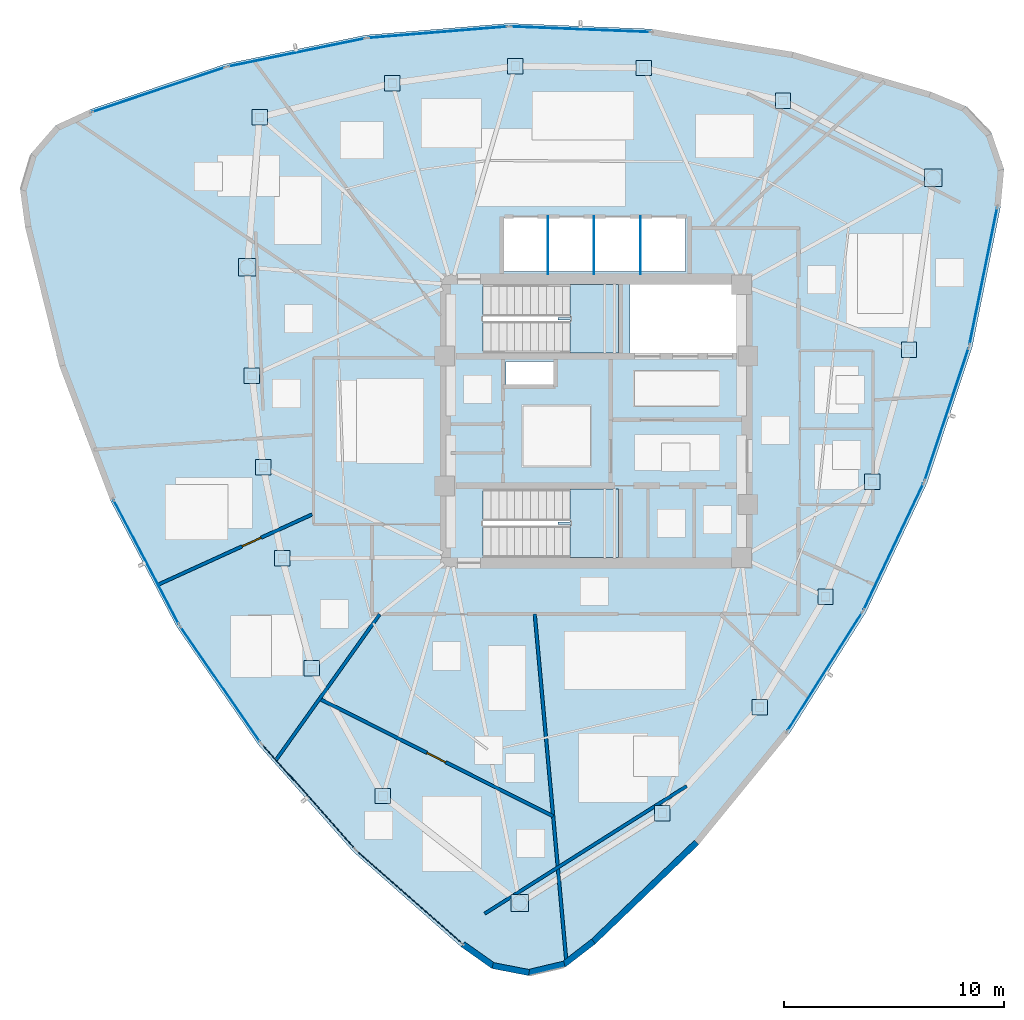
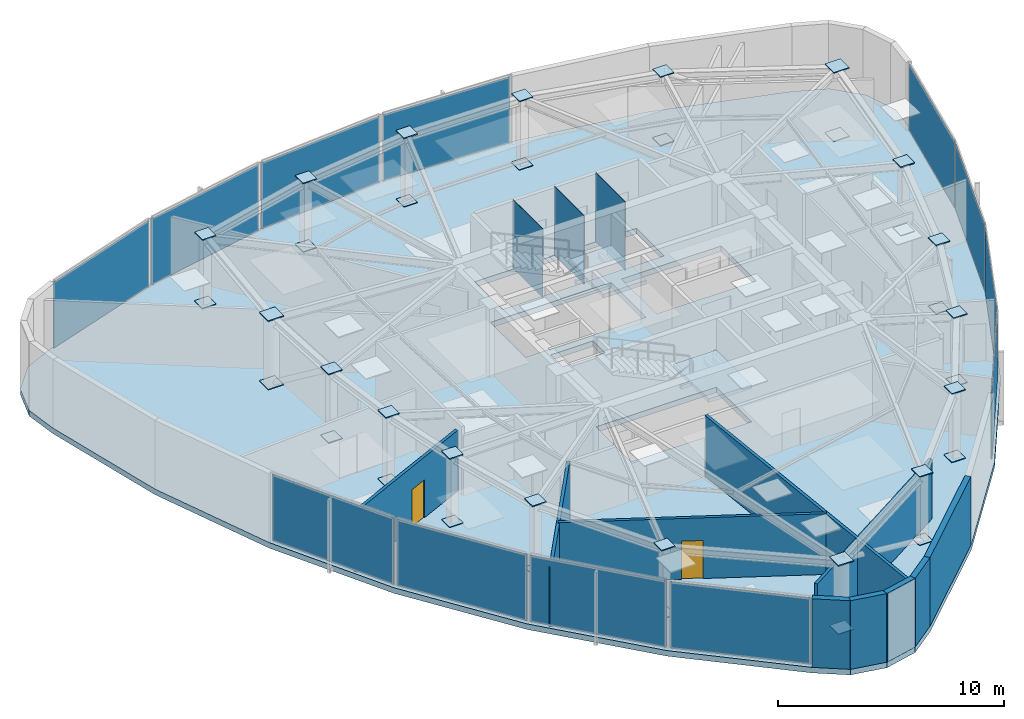
# One storey, part 7 of 13: 51 plates, 10 walls, 3 slabs, 2 doors, 2 openings, 14 elements without a shape of their own.
"""IFC4 building model written with IfcOpenShell, lengths in metres."""

from ifc_helpers import new_model, si_unit, direction, frame, frame_2d, origin, origin_2d, place, context, subcontext, project, spatial, polyline, rectangle, outline, extrude, source, transform, mapped, material, layer, layer_set, type_object, type_shapes, element, fill, aggregate, save


model = new_model("IFC4")

# Units and contexts
model_context = context("Model", 3, precision=1e-05, world=origin(), true_north=direction((0.0, 1.0)))
body_context = subcontext(model_context, "Body", "Model", "MODEL_VIEW")
ifc_project = project(units=[si_unit("LENGTHUNIT", "METRE"), si_unit("AREAUNIT", "SQUARE_METRE"), si_unit("VOLUMEUNIT", "CUBIC_METRE"), si_unit("PLANEANGLEUNIT", "RADIAN"), si_unit("MASSUNIT", "GRAM", prefix="KILO")], contexts=[model_context])

# Site, building, storey
site_placement = place(None, origin())
site = spatial("IfcSite", under=ifc_project, at=site_placement, CompositionType="ELEMENT")
building_placement = place(site_placement, origin())
building = spatial("IfcBuilding", under=site, at=building_placement, Name="Tavelor Broadcast Tower", CompositionType="ELEMENT")
storey_placement = place(building_placement, frame((0.0, 0.0, 301.5)))
storey = spatial("IfcBuildingStorey", under=building, at=storey_placement, Name="L72", CompositionType="ELEMENT", Elevation=301.5)

# Stair, slab
ifc_material_1 = material(Name="Concrete C40/50", Category="concrete")
stair_type = type_object("IfcStairType", Name="Reinforced Concrete Protected Dogleg Stair 1450 mm", PredefinedType="HALF_TURN_STAIR", material=ifc_material_1)
stair_1_placement = place(storey_placement, origin())
stair_1 = element("IfcStair", 1, at=stair_1_placement, inside=storey, type_object=stair_type, Name="L72 Protected Core Exit Stair ST1", PredefinedType="HALF_TURN_STAIR")
ifc_layer_1 = layer(ifc_material_1, 0.199951171875)
ifc_layer_set_1 = layer_set([ifc_layer_1], Name="Concrete C40/50")
slab_type_1 = type_object("IfcSlabType", Name="Reinforced Concrete Stair Half-Landing Slab 200 mm", PredefinedType="LANDING", material=ifc_layer_set_1)
slab_1_placement = place(storey_placement, frame((0.0, 0.0, 1.800048828125)))
slab_1 = element("IfcSlab", 2, at=slab_1_placement, type_object=slab_type_1, Name="ST1 landing 1", PredefinedType="LANDING", context=body_context, shape_type="SweptSolid", body=[
    extrude(outline(polyline([(48.804931640625, 49.590087890625), (48.804931640625, 48.094970703125), (51.0048828125, 48.094970703125), (51.0048828125, 51.205078125), (48.804931640625, 51.205078125), (48.804931640625, 49.7099609375), (48.264892578125, 49.7099609375), (48.264892578125, 49.590087890625), (48.804931640625, 49.590087890625)])), origin(), (0.0, 0.0, 1.0), 0.199951171875),
])
aggregate(stair_1, [slab_1])

stair_2_placement = place(storey_placement, origin())
stair_2 = element("IfcStair", 3, at=stair_2_placement, inside=storey, type_object=stair_type, Name="L72 Protected Core Exit Stair ST2", PredefinedType="HALF_TURN_STAIR")
slab_2_placement = place(storey_placement, frame((0.0, 0.0, 1.800048828125)))
slab_2 = element("IfcSlab", 4, at=slab_2_placement, type_object=slab_type_1, Name="ST2 landing 1", PredefinedType="LANDING", context=body_context, shape_type="SweptSolid", body=[
    extrude(outline(polyline([(48.804931640625, 40.2900390625), (48.804931640625, 38.794921875), (51.0048828125, 38.794921875), (51.0048828125, 41.905029296875), (48.804931640625, 41.905029296875), (48.804931640625, 40.409912109375), (48.264892578125, 40.409912109375), (48.264892578125, 40.2900390625), (48.804931640625, 40.2900390625)])), origin(), (0.0, 0.0, 1.0), 0.199951171875),
])
aggregate(stair_2, [slab_2])

# Slab
ifc_layer_2 = layer(ifc_material_1, 0.300048828125)
ifc_layer_set_2 = layer_set([ifc_layer_2], Name="Concrete C40/50")
slab_type_2 = type_object("IfcSlabType", Name="Tower Composite Floor Slab 300 mm", PredefinedType="FLOOR", material=ifc_layer_set_2)
slab_3_placement = place(storey_placement, frame((0.0, 0.0, -0.300048828125)))
element("IfcSlab", 5, at=slab_3_placement, inside=storey, type_object=slab_type_2, Name="L72 Structural Floor Slab", PredefinedType="FLOOR", context=body_context, shape_type="SweptSolid", body=[
    extrude(outline(polyline([(26.973388671875, 59.16015625), (25.419189453125, 58.443603515625), (24.29736328125, 57.15087890625), (23.80712890625, 55.51123046875), (24.034912109375, 53.815185546875), (25.59130859375, 47.489501953125), (27.90185546875, 41.39892578125), (30.9326171875, 35.632568359375), (34.638671875, 30.275390625), (38.9658203125, 25.406005859375), (43.850341796875, 21.095947265625), (45.247802734375, 20.108154296875), (46.92822265625, 19.783203125), (48.593505859375, 20.17822265625), (49.948486328125, 21.2236328125), (54.648193359375, 25.734375), (58.767578125, 30.78076171875), (62.246337890625, 36.28857421875), (65.03271484375, 42.176513671875), (67.086181640625, 48.35888671875), (68.376220703125, 54.743896484375), (68.532958984375, 56.4482421875), (67.974365234375, 58.06591796875), (66.799560546875, 59.310302734375), (65.216796875, 59.961181640625), (58.960205078125, 61.77587890625), (52.530517578125, 62.8203125), (46.021240234375, 63.0791015625), (39.52880859375, 62.548095703125), (33.148193359375, 61.2353515625), (26.973388671875, 59.16015625)]), holes=[polyline([(50.99609375, 41.89599609375), (50.99609375, 38.803955078125), (44.85400390625, 38.803955078125), (44.85400390625, 41.89599609375), (50.99609375, 41.89599609375)]), polyline([(48.050048828125, 47.699951171875), (48.050048828125, 46.64990234375), (45.89990234375, 46.64990234375), (45.89990234375, 47.699951171875), (48.050048828125, 47.699951171875)]), polyline([(50.99609375, 51.196044921875), (50.99609375, 48.10400390625), (44.85400390625, 48.10400390625), (44.85400390625, 51.196044921875), (50.99609375, 51.196044921875)]), polyline([(56.60009765625, 48.10009765625), (51.52001953125, 48.10009765625), (51.52001953125, 51.199951171875), (56.60009765625, 51.199951171875), (56.60009765625, 48.10009765625)]), polyline([(54.050048828125, 51.800048828125), (45.800048828125, 51.800048828125), (45.800048828125, 54.25), (54.050048828125, 54.25), (54.050048828125, 51.800048828125)])]), origin(), (0.0, 0.0, 1.0), 0.300048828125),
])

# Plates
ifc_material_2 = material(Name="Steel S460", Category="steel")
ifc_layer_3 = layer(ifc_material_2, 0.050048828125)
ifc_layer_set_3 = layer_set([ifc_layer_3], Name="Steel S460")
plate_type_1 = type_object("IfcPlateType", Name="Tube Hollow-End Cap Plate KN05 700x700x50", PredefinedType="USERDEFINED", material=ifc_layer_set_3)
shared_shape_1 = source(origin(), body_context, "Body", "SweptSolid", [
    extrude(rectangle(XDim=0.699951171875, YDim=0.699951171875, at=origin_2d()), origin(), (0.0, 0.0, 1.0), 0.054931640625),
])
for number, where, z_axis, x_axis, name in (
    (6, (34.341552734375, 47.061279296875, -0.02734375), (0.0, 0.0, 1.0), (1.0, 0.0, 0.0), "L72 Hollow End Cap Plate KN05 #2175"),
    (7, (34.341552734375, 47.061279296875, 3.67236328125), (0.0, 0.0, 1.0), (1.0, 0.0, 0.0), "L72 Hollow End Cap Plate KN05 #2176"),
    (8, (34.85400390625, 42.90185546875, -0.02734375), (0.0, 0.0, 1.0), (1.0, 0.0, 0.0), "L72 Hollow End Cap Plate KN05 #2177"),
    (9, (34.85400390625, 42.90185546875, 3.67236328125), (0.0, 0.0, 1.0), (1.0, 0.0, 0.0), "L72 Hollow End Cap Plate KN05 #2178"),
    (10, (35.716552734375, 38.757080078125, -0.02734375), (0.0, 0.0, 1.0), (1.0, 0.0, 0.0), "L72 Hollow End Cap Plate KN05 #2179"),
    (11, (35.716552734375, 38.757080078125, 3.67236328125), (0.0, 0.0, 1.0), (1.0, 0.0, 0.0), "L72 Hollow End Cap Plate KN05 #2180"),
    (12, (37.068115234375, 33.759521484375, -0.02734375), (0.0, 0.0, 1.0), (1.0, 0.0, 0.0), "L72 Hollow End Cap Plate KN05 #2181"),
    (13, (37.068115234375, 33.759521484375, 3.67236328125), (0.0, 0.0, 1.0), (1.0, 0.0, 0.0), "L72 Hollow End Cap Plate KN05 #2182"),
    (14, (40.29638671875, 27.95361328125, -0.02734375), (0.0, 0.0, 1.0), (1.0, 0.0, 0.0), "L72 Hollow End Cap Plate KN05 #2183"),
    (15, (40.29638671875, 27.95361328125, 3.67236328125), (0.0, 0.0, 1.0), (1.0, 0.0, 0.0), "L72 Hollow End Cap Plate KN05 #2184"),
    (16, (52.992919921875, 27.1767578125, -0.02734375), (0.0, 0.0, 1.0), (1.0, 0.0, 0.0), "L72 Hollow End Cap Plate KN05 #2187"),
    (17, (52.992919921875, 27.1767578125, 3.67236328125), (0.0, 0.0, 1.0), (1.0, 0.0, 0.0), "L72 Hollow End Cap Plate KN05 #2188"),
    (18, (57.431396484375, 31.9921875, -0.02734375), (0.0, 0.0, 1.0), (1.0, 0.0, 0.0), "L72 Hollow End Cap Plate KN05 #2189"),
    (19, (57.431396484375, 31.9921875, 3.67236328125), (0.0, 0.0, 1.0), (1.0, 0.0, 0.0), "L72 Hollow End Cap Plate KN05 #2190"),
    (20, (60.41748046875, 37.00439453125, -0.02734375), (0.0, 0.0, 1.0), (1.0, 0.0, 0.0), "L72 Hollow End Cap Plate KN05 #2191"),
    (21, (60.41748046875, 37.00439453125, 3.67236328125), (0.0, 0.0, 1.0), (1.0, 0.0, 0.0), "L72 Hollow End Cap Plate KN05 #2192"),
    (22, (62.543701171875, 42.240478515625, -0.02734375), (0.0, 0.0, 1.0), (1.0, 0.0, 0.0), "L72 Hollow End Cap Plate KN05 #2193"),
    (23, (62.543701171875, 42.240478515625, 3.67236328125), (0.0, 0.0, 1.0), (1.0, 0.0, 0.0), "L72 Hollow End Cap Plate KN05 #2194"),
    (24, (64.21435546875, 48.2373046875, -0.02734375), (0.0, 0.0, 1.0), (1.0, 0.0, 0.0), "L72 Hollow End Cap Plate KN05 #2195"),
    (25, (64.21435546875, 48.2373046875, 3.67236328125), (0.0, 0.0, 1.0), (1.0, 0.0, 0.0), "L72 Hollow End Cap Plate KN05 #2196"),
    (26, (58.485595703125, 59.55712890625, -0.02734375), (0.0, 0.0, 1.0), (1.0, 0.0, 0.0), "L72 Hollow End Cap Plate KN05 #2199"),
    (27, (58.485595703125, 59.55712890625, 3.67236328125), (0.0, 0.0, 1.0), (1.0, 0.0, 0.0), "L72 Hollow End Cap Plate KN05 #2200"),
    (28, (52.147216796875, 61.05078125, -0.02734375), (0.0, 0.0, 1.0), (1.0, 0.0, 0.0), "L72 Hollow End Cap Plate KN05 #2201"),
    (29, (52.147216796875, 61.05078125, 3.67236328125), (0.0, 0.0, 1.0), (1.0, 0.0, 0.0), "L72 Hollow End Cap Plate KN05 #2202"),
    (30, (46.3154296875, 61.13720703125, -0.02734375), (0.0, 0.0, 1.0), (1.0, 0.0, 0.0), "L72 Hollow End Cap Plate KN05 #2203"),
    (31, (46.3154296875, 61.13720703125, 3.67236328125), (0.0, 0.0, 1.0), (1.0, 0.0, 0.0), "L72 Hollow End Cap Plate KN05 #2204"),
    (32, (40.718017578125, 60.36083984375, -0.02734375), (0.0, 0.0, 1.0), (1.0, 0.0, 0.0), "L72 Hollow End Cap Plate KN05 #2205"),
    (33, (40.718017578125, 60.36083984375, 3.67236328125), (0.0, 0.0, 1.0), (1.0, 0.0, 0.0), "L72 Hollow End Cap Plate KN05 #2206"),
    (34, (34.689208984375, 58.80908203125, -0.02734375), (0.0, 0.0, 1.0), (1.0, 0.0, 0.0), "L72 Hollow End Cap Plate KN05 #2207"),
    (35, (34.689208984375, 58.80908203125, 3.67236328125), (0.0, 0.0, 1.0), (1.0, 0.0, 0.0), "L72 Hollow End Cap Plate KN05 #2208"),
):
    element("IfcPlate", number, at=place(storey_placement, frame(where, z_axis=z_axis, x_axis=x_axis)), inside=storey, type_object=plate_type_1, Name=name, ObjectType="CAP PLATE", PredefinedType="USERDEFINED", context=body_context, shape_type="MappedRepresentation", body=[
        mapped(shared_shape_1, transform((0.0, 0.0, 0.0), scale=1.0)),
    ])
shared_shape_2 = source(origin(), body_context, "Body", "SweptSolid", [
    extrude(rectangle(XDim=0.791015625, YDim=0.791015625, at=origin_2d()), origin(), (0.0, 0.0, 1.0), 0.054931640625),
])
type_shapes(plate_type_1, [shared_shape_1, shared_shape_2])
for number, where, z_axis, x_axis, name in (
    (36, (34.134765625, 51.995849609375, -0.02734375), (0.0, 0.0, 1.0), (1.0, 0.0, 0.0), "L72 Hollow End Cap Plate KN05 #2173"),
    (37, (34.134765625, 51.995849609375, 3.67236328125), (0.0, 0.0, 1.0), (1.0, 0.0, 0.0), "L72 Hollow End Cap Plate KN05 #2174"),
    (38, (46.5146484375, 23.08740234375, -0.02734375), (0.0, 0.0, 1.0), (1.0, 0.0, 0.0), "L72 Hollow End Cap Plate KN05 #2185"),
    (39, (46.5146484375, 23.08740234375, 3.67236328125), (0.0, 0.0, 1.0), (1.0, 0.0, 0.0), "L72 Hollow End Cap Plate KN05 #2186"),
    (40, (65.319580078125, 56.0556640625, -0.02734375), (0.0, 0.0, 1.0), (1.0, 0.0, 0.0), "L72 Hollow End Cap Plate KN05 #2197"),
    (41, (65.319580078125, 56.0556640625, 3.67236328125), (0.0, 0.0, 1.0), (1.0, 0.0, 0.0), "L72 Hollow End Cap Plate KN05 #2198"),
):
    element("IfcPlate", number, at=place(storey_placement, frame(where, z_axis=z_axis, x_axis=x_axis)), inside=storey, type_object=plate_type_1, Name=name, ObjectType="CAP PLATE", PredefinedType="USERDEFINED", context=body_context, shape_type="MappedRepresentation", body=[
        mapped(shared_shape_2, transform((0.0, 0.0, 0.0), scale=1.0)),
    ])
ifc_material_3 = material(Name="Steel S355", Category="steel")
ifc_layer_4 = layer(ifc_material_3, 0.011962890625)
ifc_layer_set_4 = layer_set([ifc_layer_4], Name="Steel S355")
plate_type_2 = type_object("IfcPlateType", Name="Hoistway Steel Separator Screen 12 mm", PredefinedType="SHEET", material=ifc_layer_set_4)
shared_shape_3 = source(origin(), body_context, "Body", "SweptSolid", [
    extrude(rectangle(XDim=0.02001953125, YDim=2.6201171875, at=origin_2d()), origin(), (0.0, 0.0, 1.0), 3.699951171875),
])
type_shapes(plate_type_2, [shared_shape_3])
for number, where, z_axis, x_axis, name in (
    (42, (47.800048828125, 52.989990234375, 0.0), (0.0, 0.0, 1.0), (1.0, 0.0, 0.0), "L72 High-Rise Hoistway Separator Screen 1"),
    (43, (49.89990234375, 52.989990234375, 0.0), (0.0, 0.0, 1.0), (1.0, 0.0, 0.0), "L72 High-Rise Hoistway Separator Screen 2"),
    (44, (52.0, 52.989990234375, 0.0), (0.0, 0.0, 1.0), (1.0, 0.0, 0.0), "L72 High-Rise Hoistway Separator Screen 3"),
):
    element("IfcPlate", number, at=place(storey_placement, frame(where, z_axis=z_axis, x_axis=x_axis)), inside=storey, type_object=plate_type_2, Name=name, PredefinedType="SHEET", context=body_context, shape_type="MappedRepresentation", body=[
        mapped(shared_shape_3, transform((0.0, 0.0, 0.0), scale=1.0)),
    ])

# Curtain wall, plate
ifc_material_4 = material(Name="Architectural Anodized Aluminium", Category="aluminium")
ifc_layer_5 = layer(ifc_material_4, 0.199951171875)
ifc_layer_set_5 = layer_set([ifc_layer_5], Name="Architectural Anodized Aluminium")
curtain_wall_type = type_object("IfcCurtainWallType", Name="Tower High-Zone Triple-Glazed Curtain Wall CW04", PredefinedType="NOTDEFINED", material=ifc_layer_set_5)
curtain_wall_1_placement = place(storey_placement, origin())
curtain_wall_1 = element("IfcCurtainWall", 45, at=curtain_wall_1_placement, inside=storey, type_object=curtain_wall_type, Name="L72 Curtain Wall CW04 Run 793", PredefinedType="NOTDEFINED")
ifc_material_5 = material(Name="High-Altitude Triple Glazing 36 mm", Category="glass")
ifc_layer_6 = layer(ifc_material_5, 0.035888671875)
ifc_layer_set_6 = layer_set([ifc_layer_6], Name="High-Altitude Triple Glazing 36 mm")
plate_type_3 = type_object("IfcPlateType", Name="CW04 Insulated Vision Glazing Panel 36 mm", PredefinedType="CURTAIN_PANEL", material=ifc_layer_set_6)
shared_shape_4 = source(origin(), body_context, "Body", "SweptSolid", [
    extrude(rectangle(XDim=6.34228515625, YDim=0.035888671875, at=origin_2d()), origin(), (0.0, 0.0, 1.0), 3.56005859375),
])
plate_1_placement = place(storey_placement, frame((29.53759765625, 38.58740234375, 0.070068359375), z_axis=(0.0, 0.0, 1.0), x_axis=(0.465220540502, -0.88519480833, 0.0)))
plate_1 = element("IfcPlate", 46, at=plate_1_placement, type_object=plate_type_3, Name="CW04 panel 1.1", PredefinedType="CURTAIN_PANEL", context=body_context, shape_type="MappedRepresentation", body=[
    mapped(shared_shape_4, transform((0.0, 0.0, 0.0), scale=1.0)),
])
aggregate(curtain_wall_1, [plate_1])

curtain_wall_2_placement = place(storey_placement, origin())
curtain_wall_2 = element("IfcCurtainWall", 47, at=curtain_wall_2_placement, inside=storey, type_object=curtain_wall_type, Name="L72 Curtain Wall CW04 Run 797", PredefinedType="NOTDEFINED")
plate_2_placement = place(storey_placement, frame((60.384765625, 33.60302734375, 0.070068359375), z_axis=(0.0, 0.0, 1.0), x_axis=(0.533986606966, 0.845492935264, 0.0)))
plate_2 = element("IfcPlate", 48, at=plate_2_placement, type_object=plate_type_3, Name="CW04 panel 1.1", PredefinedType="CURTAIN_PANEL", context=body_context, shape_type="MappedRepresentation", body=[
    mapped(shared_shape_4, transform((0.0, 0.0, 0.0), scale=1.0)),
])
aggregate(curtain_wall_2, [plate_2])

curtain_wall_3_placement = place(storey_placement, origin())
curtain_wall_3 = element("IfcCurtainWall", 49, at=curtain_wall_3_placement, inside=storey, type_object=curtain_wall_type, Name="L72 Curtain Wall CW04 Run 801", PredefinedType="NOTDEFINED")
plate_3_placement = place(storey_placement, frame((49.27783203125, 62.8095703125, 0.070068359375), z_axis=(0.0, 0.0, 1.0), x_axis=(-0.999211299972, 0.039708664155, 0.0)))
plate_3 = element("IfcPlate", 50, at=plate_3_placement, type_object=plate_type_3, Name="CW04 panel 1.1", PredefinedType="CURTAIN_PANEL", context=body_context, shape_type="MappedRepresentation", body=[
    mapped(shared_shape_4, transform((0.0, 0.0, 0.0), scale=1.0)),
])
aggregate(curtain_wall_3, [plate_3])

curtain_wall_4_placement = place(storey_placement, origin())
curtain_wall_4 = element("IfcCurtainWall", 51, at=curtain_wall_4_placement, inside=storey, type_object=curtain_wall_type, Name="L72 Curtain Wall CW04 Run 794", PredefinedType="NOTDEFINED")
shared_shape_5 = source(origin(), body_context, "Body", "SweptSolid", [
    extrude(rectangle(XDim=6.3271484375, YDim=0.035888671875, at=origin_2d()), origin(), (0.0, 0.0, 1.0), 3.56005859375),
])
plate_4_placement = place(storey_placement, frame((32.900634765625, 33.033447265625, 0.070068359375), z_axis=(0.0, 0.0, 1.0), x_axis=(0.568934154295, -0.822383078666, 0.0)))
plate_4 = element("IfcPlate", 52, at=plate_4_placement, type_object=plate_type_3, Name="CW04 panel 1.1", PredefinedType="CURTAIN_PANEL", context=body_context, shape_type="MappedRepresentation", body=[
    mapped(shared_shape_5, transform((0.0, 0.0, 0.0), scale=1.0)),
])
aggregate(curtain_wall_4, [plate_4])

curtain_wall_5_placement = place(storey_placement, origin())
curtain_wall_5 = element("IfcCurtainWall", 53, at=curtain_wall_5_placement, inside=storey, type_object=curtain_wall_type, Name="L72 Curtain Wall CW04 Run 795", PredefinedType="NOTDEFINED")
plate_5_placement = place(storey_placement, frame((36.90673828125, 27.93359375, 0.070068359375), z_axis=(0.0, 0.0, 1.0), x_axis=(0.664254418508, -0.747506566856, 0.0)))
plate_5 = element("IfcPlate", 54, at=plate_5_placement, type_object=plate_type_3, Name="CW04 panel 1.1", PredefinedType="CURTAIN_PANEL", context=body_context, shape_type="MappedRepresentation", body=[
    mapped(shared_shape_5, transform((0.0, 0.0, 0.0), scale=1.0)),
])
aggregate(curtain_wall_5, [plate_5])

curtain_wall_6_placement = place(storey_placement, origin())
curtain_wall_6 = element("IfcCurtainWall", 55, at=curtain_wall_6_placement, inside=storey, type_object=curtain_wall_type, Name="L72 Curtain Wall CW04 Run 798", PredefinedType="NOTDEFINED")
plate_6_placement = place(storey_placement, frame((63.512939453125, 39.29248046875, 0.070068359375), z_axis=(0.0, 0.0, 1.0), x_axis=(0.427749315406, 0.903897407436, 0.0)))
plate_6 = element("IfcPlate", 56, at=plate_6_placement, type_object=plate_type_3, Name="CW04 panel 1.1", PredefinedType="CURTAIN_PANEL", context=body_context, shape_type="MappedRepresentation", body=[
    mapped(shared_shape_5, transform((0.0, 0.0, 0.0), scale=1.0)),
])
aggregate(curtain_wall_6, [plate_6])

curtain_wall_7_placement = place(storey_placement, origin())
curtain_wall_7 = element("IfcCurtainWall", 57, at=curtain_wall_7_placement, inside=storey, type_object=curtain_wall_type, Name="L72 Curtain Wall CW04 Run 802", PredefinedType="NOTDEFINED")
plate_7_placement = place(storey_placement, frame((42.786376953125, 62.674072265625, 0.070068359375), z_axis=(0.0, 0.0, 1.0), x_axis=(-0.99667306482, -0.081503385587, 0.0)))
plate_7 = element("IfcPlate", 58, at=plate_7_placement, type_object=plate_type_3, Name="CW04 panel 1.1", PredefinedType="CURTAIN_PANEL", context=body_context, shape_type="MappedRepresentation", body=[
    mapped(shared_shape_5, transform((0.0, 0.0, 0.0), scale=1.0)),
])
aggregate(curtain_wall_7, [plate_7])

curtain_wall_8_placement = place(storey_placement, origin())
curtain_wall_8 = element("IfcCurtainWall", 59, at=curtain_wall_8_placement, inside=storey, type_object=curtain_wall_type, Name="L72 Curtain Wall CW04 Run 796", PredefinedType="NOTDEFINED")
shared_shape_6 = source(origin(), body_context, "Body", "SweptSolid", [
    extrude(rectangle(XDim=6.343017578125, YDim=0.035888671875, at=origin_2d()), origin(), (0.0, 0.0, 1.0), 3.56005859375),
])
plate_8_placement = place(storey_placement, frame((41.506591796875, 23.3505859375, 0.070068359375), z_axis=(0.0, 0.0, 1.0), x_axis=(0.749844157274, -0.661614494855, 0.0)))
plate_8 = element("IfcPlate", 60, at=plate_8_placement, type_object=plate_type_3, Name="CW04 panel 1.1", PredefinedType="CURTAIN_PANEL", context=body_context, shape_type="MappedRepresentation", body=[
    mapped(shared_shape_6, transform((0.0, 0.0, 0.0), scale=1.0)),
])
aggregate(curtain_wall_8, [plate_8])

curtain_wall_9_placement = place(storey_placement, origin())
curtain_wall_9 = element("IfcCurtainWall", 61, at=curtain_wall_9_placement, inside=storey, type_object=curtain_wall_type, Name="L72 Curtain Wall CW04 Run 800", PredefinedType="NOTDEFINED")
plate_9_placement = place(storey_placement, frame((67.595458984375, 51.5869140625, 0.070068359375), z_axis=(0.0, 0.0, 1.0), x_axis=(0.198070549038, 0.980187766504, 0.0)))
plate_9 = element("IfcPlate", 62, at=plate_9_placement, type_object=plate_type_3, Name="CW04 panel 1.1", PredefinedType="CURTAIN_PANEL", context=body_context, shape_type="MappedRepresentation", body=[
    mapped(shared_shape_6, transform((0.0, 0.0, 0.0), scale=1.0)),
])
aggregate(curtain_wall_9, [plate_9])

curtain_wall_10_placement = place(storey_placement, origin())
curtain_wall_10 = element("IfcCurtainWall", 63, at=curtain_wall_10_placement, inside=storey, type_object=curtain_wall_type, Name="L72 Curtain Wall CW04 Run 799", PredefinedType="NOTDEFINED")
shared_shape_7 = source(origin(), body_context, "Body", "SweptSolid", [
    extrude(rectangle(XDim=6.327392578125, YDim=0.035888671875, at=origin_2d()), origin(), (0.0, 0.0, 1.0), 3.56005859375),
])
plate_10_placement = place(storey_placement, frame((65.926513671875, 45.311767578125, 0.070068359375), z_axis=(0.0, 0.0, 1.0), x_axis=(0.315216345859, 0.949019839257, 0.0)))
plate_10 = element("IfcPlate", 64, at=plate_10_placement, type_object=plate_type_3, Name="CW04 panel 1.1", PredefinedType="CURTAIN_PANEL", context=body_context, shape_type="MappedRepresentation", body=[
    mapped(shared_shape_7, transform((0.0, 0.0, 0.0), scale=1.0)),
])
aggregate(curtain_wall_10, [plate_10])

curtain_wall_11_placement = place(storey_placement, origin())
curtain_wall_11 = element("IfcCurtainWall", 65, at=curtain_wall_11_placement, inside=storey, type_object=curtain_wall_type, Name="L72 Curtain Wall CW04 Run 803", PredefinedType="NOTDEFINED")
plate_11_placement = place(storey_placement, frame((36.36669921875, 61.754638671875, 0.070068359375), z_axis=(0.0, 0.0, 1.0), x_axis=(-0.979483981511, -0.201522033446, 0.0)))
plate_11 = element("IfcPlate", 66, at=plate_11_placement, type_object=plate_type_3, Name="CW04 panel 1.1", PredefinedType="CURTAIN_PANEL", context=body_context, shape_type="MappedRepresentation", body=[
    mapped(shared_shape_7, transform((0.0, 0.0, 0.0), scale=1.0)),
])
aggregate(curtain_wall_11, [plate_11])

curtain_wall_12_placement = place(storey_placement, origin())
curtain_wall_12 = element("IfcCurtainWall", 67, at=curtain_wall_12_placement, inside=storey, type_object=curtain_wall_type, Name="L72 Curtain Wall CW04 Run 804", PredefinedType="NOTDEFINED")
shared_shape_8 = source(origin(), body_context, "Body", "SweptSolid", [
    extrude(rectangle(XDim=6.34326171875, YDim=0.035888671875, at=origin_2d()), origin(), (0.0, 0.0, 1.0), 3.56005859375),
])
type_shapes(plate_type_3, [shared_shape_4, shared_shape_5, shared_shape_6, shared_shape_7, shared_shape_8])
plate_12_placement = place(storey_placement, frame((30.097900390625, 60.0625, 0.070068359375), z_axis=(0.0, 0.0, 1.0), x_axis=(-0.947901479239, -0.318563628897, 0.0)))
plate_12 = element("IfcPlate", 68, at=plate_12_placement, type_object=plate_type_3, Name="CW04 panel 1.1", PredefinedType="CURTAIN_PANEL", context=body_context, shape_type="MappedRepresentation", body=[
    mapped(shared_shape_8, transform((0.0, 0.0, 0.0), scale=1.0)),
])
aggregate(curtain_wall_12, [plate_12])

# Walls
ifc_material_6 = material(Name="Precast Concrete C40/50", Category="concrete")
ifc_layer_7 = layer(ifc_material_6, 0.280029296875)
ifc_layer_set_7 = layer_set([ifc_layer_7], Name="Precast Concrete C40/50")
wall_type_1 = type_object("IfcWallType", Name="Insulated Precast Terracotta Facade Wall 280 mm", PredefinedType="STANDARD", material=ifc_layer_set_7)
wall_1_placement = place(storey_placement, frame((43.93408203125, 21.208251953125, 0.0), z_axis=(0.0, 0.0, 1.0), x_axis=(0.81660797187, -0.577192706362, 0.0)))
element("IfcWall", 69, at=wall_1_placement, inside=storey, type_object=wall_type_1, Name="L72 Rounded Corner Structural Cladding Pier 11", PredefinedType="STANDARD", context=body_context, shape_type="SweptSolid", body=[
    extrude(rectangle(XDim=1.69287109375, YDim=0.280029296875, at=frame_2d((0.846435546875, 0.0))), origin(), (0.0, 0.0, 1.0), 3.699951171875),
])
wall_2_placement = place(storey_placement, frame((45.289306640625, 20.242919921875, 0.0), z_axis=(0.0, 0.0, 1.0), x_axis=(0.981768488332, -0.190080602163, 0.0)))
element("IfcWall", 70, at=wall_2_placement, inside=storey, type_object=wall_type_1, Name="L72 Rounded Corner Structural Cladding Pier 12", PredefinedType="STANDARD", context=body_context, shape_type="SweptSolid", body=[
    extrude(rectangle(XDim=1.681396484375, YDim=0.280029296875, at=frame_2d((0.8408203125, 0.0))), origin(), (0.0, 0.0, 1.0), 3.699951171875),
])
wall_3_placement = place(storey_placement, frame((46.91064453125, 19.9228515625, 0.0), z_axis=(0.0, 0.0, 1.0), x_axis=(0.972977345921, 0.230900594032, 0.0)))
element("IfcWall", 71, at=wall_3_placement, inside=storey, type_object=wall_type_1, Name="L72 Rounded Corner Structural Cladding Pier 13", PredefinedType="STANDARD", context=body_context, shape_type="SweptSolid", body=[
    extrude(rectangle(XDim=1.68115234375, YDim=0.280029296875, at=frame_2d((0.840576171875, 0.0))), origin(), (0.0, 0.0, 1.0), 3.699951171875),
])
wall_4_placement = place(storey_placement, frame((48.52001953125, 20.29833984375, 0.0), z_axis=(0.0, 0.0, 1.0), x_axis=(0.79172284978, 0.610880454047, 0.0)))
element("IfcWall", 72, at=wall_4_placement, inside=storey, type_object=wall_type_1, Name="L72 Rounded Corner Structural Cladding Pier 14", PredefinedType="STANDARD", context=body_context, shape_type="SweptSolid", body=[
    extrude(rectangle(XDim=1.70361328125, YDim=0.280029296875, at=frame_2d((0.851806640625, 0.0))), origin(), (0.0, 0.0, 1.0), 3.699951171875),
])
wall_5_placement = place(storey_placement, frame((49.84619140625, 21.319580078125, 0.0), z_axis=(0.0, 0.0, 1.0), x_axis=(0.721468778502, 0.692446966667, 0.0)))
element("IfcWall", 73, at=wall_5_placement, inside=storey, type_object=wall_type_1, Name="L72 Rounded Corner Structural Cladding Pier 15", PredefinedType="STANDARD", context=body_context, shape_type="SweptSolid", body=[
    extrude(rectangle(XDim=6.528076171875, YDim=0.280029296875, at=frame_2d((3.26416015625, 0.0))), origin(), (0.0, 0.0, 1.0), 3.699951171875),
])
ifc_material_7 = material(Name="Gypsum Acoustic Plasterboard 150 mm", Category="gypsum")
ifc_layer_8 = layer(ifc_material_7, 0.14990234375)
ifc_layer_set_8 = layer_set([ifc_layer_8], Name="Gypsum Acoustic Plasterboard 150 mm")
wall_type_2 = type_object("IfcWallType", Name="Interior Acoustic Partition Wall 150 mm", PredefinedType="PARTITIONING", material=ifc_layer_set_8)
wall_6_placement = place(storey_placement, frame((44.9267578125, 22.60546875, 0.0), z_axis=(0.0, 0.0, 1.0), x_axis=(0.845624548895, 0.533778158326, 0.0)))
element("IfcWall", 74, at=wall_6_placement, inside=storey, type_object=wall_type_2, Name="L72 Corner Tube Brace Furring Wall 2", PredefinedType="PARTITIONING", context=body_context, shape_type="SweptSolid", body=[
    extrude(rectangle(XDim=10.861083984375, YDim=0.14990234375, at=frame_2d((5.4306640625, 0.0))), origin(), (0.0, 0.0, 1.0), 3.22509765625),
])

# Wall, opening, door
wall_7_placement = place(storey_placement, frame((37.080078125, 40.752685546875, 0.0), z_axis=(0.0, 0.0, 1.0), x_axis=(-0.90995373315, -0.41470978229, 0.0)))
wall_7 = element("IfcWall", 75, at=wall_7_placement, inside=storey, type_object=wall_type_2, Name="L72 Radial Compartment Wall 01", PredefinedType="PARTITIONING", context=body_context, shape_type="SweptSolid", body=[
    extrude(rectangle(XDim=7.7060546875, YDim=0.14990234375, at=frame_2d((3.85302734375, 0.0))), origin(), (0.0, 0.0, 1.0), 3.27490234375),
])
opening_1_placement = place(wall_7_placement, frame((2.550048828125, 0.0, 0.0)))
opening_1 = element("IfcOpeningElement", 76, at=opening_1_placement, cuts=wall_7, Name="Opening DR18", PredefinedType="OPENING", context=body_context, shape_type="SweptSolid", body=[
    extrude(rectangle(XDim=0.949951171875, YDim=2.050048828125, at=frame_2d((0.47509765625, 1.02490234375))), frame((0.0, 0.0849609375, 0.0), z_axis=(0.0, -1.0, 0.0), x_axis=(1.0, 0.0, 0.0)), (0.0, 0.0, 1.0), 0.169921875),
])
ifc_material_8 = material(Name="Timber Solid Core Hardwood", Category="wood")
door_type_1 = type_object("IfcDoorType", Name="Corridor Rated Compartment Door 950x2050", OperationType="NOTDEFINED", PredefinedType="DOOR", material=ifc_material_8)
door_1_placement = place(opening_1_placement, origin())
door_1 = element("IfcDoor", 77, at=door_1_placement, inside=storey, type_object=door_type_1, Name="L72 Suite Connecting Door 4", OperationType="SINGLE_SWING_RIGHT", OverallHeight=2.050048828125, OverallWidth=0.949951171875, PredefinedType="DOOR", context=body_context, shape_type="SweptSolid", body=[
    extrude(rectangle(XDim=0.949951171875, YDim=2.050048828125, at=frame_2d((0.47509765625, 1.02490234375))), frame((0.0, 0.02490234375, 0.0), z_axis=(0.0, -1.0, 0.0), x_axis=(1.0, 0.0, 0.0)), (0.0, 0.0, 1.0), 0.050048828125),
])
fill(opening_1, door_1)

# Walls
wall_8_placement = place(storey_placement, frame((40.154296875, 36.219970703125, 0.0), z_axis=(0.0, 0.0, 1.0), x_axis=(-0.579652892056, -0.814863500674, 0.0)))
element("IfcWall", 78, at=wall_8_placement, inside=storey, type_object=wall_type_2, Name="L72 Radial Compartment Wall 02", PredefinedType="PARTITIONING", context=body_context, shape_type="SweptSolid", body=[
    extrude(rectangle(XDim=8.149169921875, YDim=0.14990234375, at=frame_2d((4.07470703125, 0.0))), origin(), (0.0, 0.0, 1.0), 3.22509765625),
])
wall_9_placement = place(storey_placement, frame((47.19921875, 36.219970703125, 0.0), z_axis=(0.0, 0.0, 1.0), x_axis=(0.090665833317, -0.995881371785, 0.0)))
element("IfcWall", 79, at=wall_9_placement, inside=storey, type_object=wall_type_2, Name="L72 Radial Compartment Wall 03", PredefinedType="PARTITIONING", context=body_context, shape_type="SweptSolid", body=[
    extrude(rectangle(XDim=15.906005859375, YDim=0.14990234375, at=frame_2d((7.953125, 0.0))), origin(), (0.0, 0.0, 1.0), 3.27490234375),
])

# Wall, opening, door
wall_10_placement = place(storey_placement, frame((37.41455078125, 32.36865234375, 0.0), z_axis=(0.0, 0.0, 1.0), x_axis=(0.893562855896, -0.448938105492, 0.0)))
wall_10 = element("IfcWall", 80, at=wall_10_placement, inside=storey, type_object=wall_type_2, Name="L72 Suite Chord Partition Wall 01", PredefinedType="PARTITIONING", context=body_context, shape_type="SweptSolid", body=[
    extrude(rectangle(XDim=11.88623046875, YDim=0.14990234375, at=frame_2d((5.943115234375, 0.0))), origin(), (0.0, 0.0, 1.0), 3.27490234375),
])
opening_2_placement = place(wall_10_placement, frame((5.468017578125, 0.0, 0.0)))
opening_2 = element("IfcOpeningElement", 81, at=opening_2_placement, cuts=wall_10, Name="Opening DR23", PredefinedType="OPENING", context=body_context, shape_type="SweptSolid", body=[
    extrude(rectangle(XDim=0.949951171875, YDim=2.050048828125, at=frame_2d((0.47509765625, 1.02490234375))), frame((0.0, 0.0849609375, 0.0), z_axis=(0.0, -1.0, 0.0), x_axis=(1.0, 0.0, 0.0)), (0.0, 0.0, 1.0), 0.169921875),
])
door_type_2 = type_object("IfcDoorType", Name="Editorial Room Acoustic Door 950x2050", OperationType="NOTDEFINED", PredefinedType="DOOR", material=ifc_material_8)
door_2_placement = place(opening_2_placement, origin())
door_2 = element("IfcDoor", 82, at=door_2_placement, inside=storey, type_object=door_type_2, Name="L72 Outer Suite Partition Door 1", OperationType="SINGLE_SWING_LEFT", OverallHeight=2.050048828125, OverallWidth=0.949951171875, PredefinedType="DOOR", context=body_context, shape_type="SweptSolid", body=[
    extrude(rectangle(XDim=0.949951171875, YDim=2.050048828125, at=frame_2d((0.47509765625, 1.02490234375))), frame((0.0, 0.02490234375, 0.0), z_axis=(0.0, -1.0, 0.0), x_axis=(1.0, 0.0, 0.0)), (0.0, 0.0, 1.0), 0.050048828125),
])
fill(opening_2, door_2)

save(model, "model.ifc")
